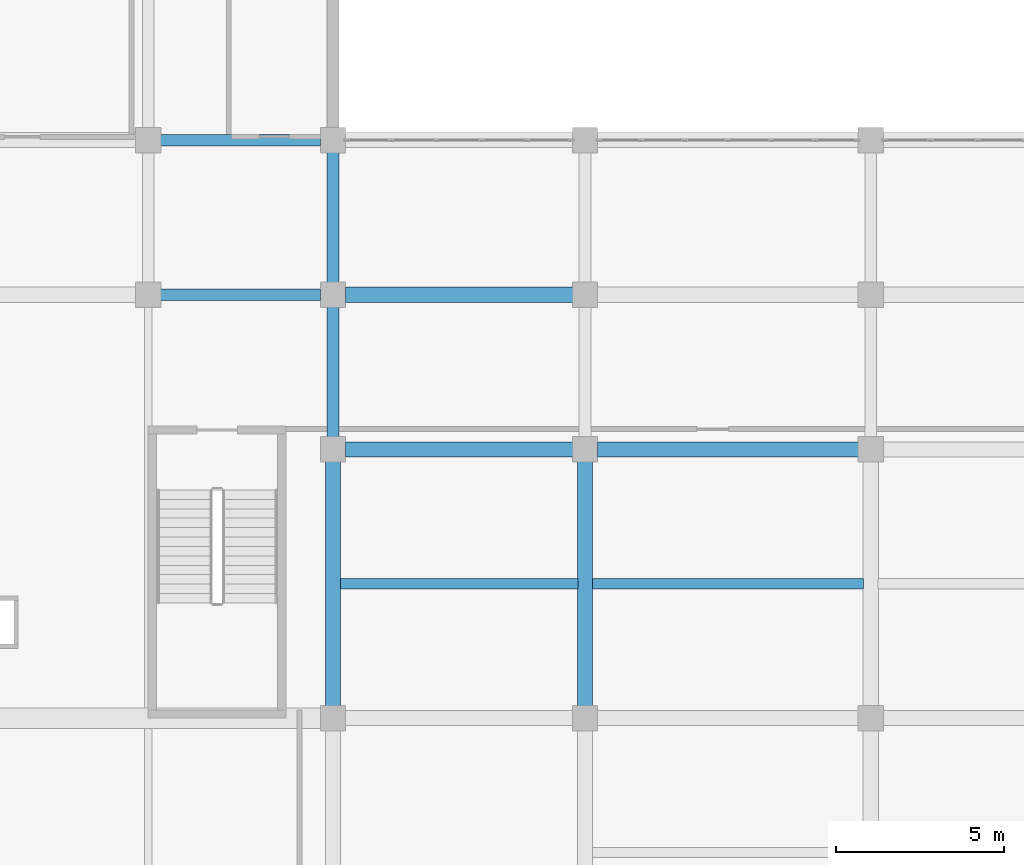
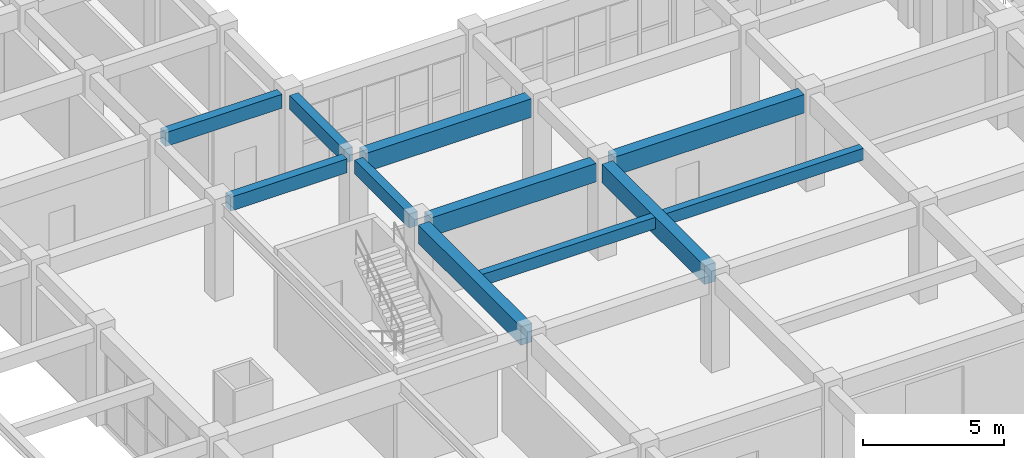
# One storey, part 9 of 116: 11 beams.
"""IFC4 building model written with IfcOpenShell, lengths in metres."""

import ifcopenshell
import ifcopenshell.guid

model = None  # the IFC model being written
_history = None  # IfcOwnerHistory: only IFC2X3 demands one
_inside = {}  # id of a spatial element -> (the spatial element, [elements in it])
_under = {}  # id of a project, library or spatial element -> (it, [spatial elements below it])
_declared = {}  # id of a project -> (the project, [libraries it declares])
_typed = {}  # id of a type object -> (the type object, [elements of that type])
_made_of = {}  # id of a material, layer set ... -> (it, [elements and type objects made of it])


def new_model(schema):
    """Start an empty IFC model of exactly this schema.

    Asked for "IFC4X3", IfcOpenShell would pick the latest addendum, in which some entities
    have other attributes; the version numbers below select the first issue.
    IFC2X3 requires an IfcOwnerHistory on every rooted entity: one is made here for all.
    """
    global model, _history
    if schema == "IFC4X3":
        model = ifcopenshell.file(schema_version=(4, 3, 0, 0))
    else:
        model = ifcopenshell.file(schema=schema)
    _inside.clear()
    _under.clear()
    _declared.clear()
    _typed.clear()
    _made_of.clear()
    _history = None
    if model.schema == "IFC2X3":
        org = make("IfcOrganization", Name="unknown")
        user = make(
            "IfcPersonAndOrganization",
            ThePerson=make("IfcPerson", FamilyName="unknown"),
            TheOrganization=org,
        )
        app = make(
            "IfcApplication",
            ApplicationDeveloper=org,
            Version="unknown",
            ApplicationFullName="unknown",
            ApplicationIdentifier="unknown",
        )
        _history = make(
            "IfcOwnerHistory",
            OwningUser=user,
            OwningApplication=app,
            ChangeAction="ADDED",
            CreationDate=0,
        )
    return model


def make(cls, **values):
    """One entity of the class cls with the attributes given. An attribute that is None is left unset."""
    return model.create_entity(
        cls, **{name: value for name, value in values.items() if value is not None}
    )


def rooted(cls, **values):
    """An entity with a GlobalId (a new one), such as an element, a storey or a relation."""
    return make(cls, GlobalId=ifcopenshell.guid.new(), OwnerHistory=_history, **values)


def si_unit(unit_type, name, prefix=None):
    """IfcSIUnit, for example si_unit("LENGTHUNIT", "METRE", prefix="MILLI")."""
    return make("IfcSIUnit", UnitType=unit_type, Prefix=prefix, Name=name)


def assignment(units):
    """IfcUnitAssignment: the units of a project."""
    return None if units is None else make("IfcUnitAssignment", Units=units)


def point(xyz):
    """IfcCartesianPoint."""
    return None if xyz is None else make("IfcCartesianPoint", Coordinates=xyz)


def direction(xyz):
    """IfcDirection."""
    return None if xyz is None else make("IfcDirection", DirectionRatios=xyz)


def frame(location, z_axis=None, x_axis=None):
    """IfcAxis2Placement3D, a coordinate frame: its origin and axes. An axis left out is left unset."""
    return make(
        "IfcAxis2Placement3D",
        Location=point(location),
        Axis=direction(z_axis),
        RefDirection=direction(x_axis),
    )


def frame_2d(location, x_axis=None):
    """IfcAxis2Placement2D, a coordinate frame in the plane: its origin and x axis."""
    return make(
        "IfcAxis2Placement2D", Location=point(location), RefDirection=direction(x_axis)
    )


def origin():
    """The frame at (0, 0, 0) with its axes left unset."""
    return frame((0.0, 0.0, 0.0))


def origin_2d():
    """The frame at (0, 0) in the plane with its x axis left unset."""
    return frame_2d((0.0, 0.0))


def place(relative_to, where):
    """IfcLocalPlacement: puts the frame where relative to a parent placement (None: the world)."""
    return make(
        "IfcLocalPlacement", PlacementRelTo=relative_to, RelativePlacement=where
    )


def context(
    kind, dimensions, precision=None, world=None, true_north=None, identifier=None
):
    """IfcGeometricRepresentationContext, for example the 3D "Model" context."""
    return make(
        "IfcGeometricRepresentationContext",
        ContextIdentifier=identifier,
        ContextType=kind,
        CoordinateSpaceDimension=dimensions,
        Precision=precision,
        WorldCoordinateSystem=world,
        TrueNorth=true_north,
    )


def subcontext(parent, identifier, kind, view, scale=None):
    """IfcGeometricRepresentationSubContext, for example "Body" below "Model"."""
    return make(
        "IfcGeometricRepresentationSubContext",
        ContextIdentifier=identifier,
        ContextType=kind,
        ParentContext=parent,
        TargetScale=scale,
        TargetView=view,
    )


def project(units=None, contexts=None):
    """IfcProject with its units and contexts."""
    return rooted(
        "IfcProject",
        Name="project",
        RepresentationContexts=contexts,
        UnitsInContext=assignment(units),
    )


def spatial(cls, under=None, at=None, **own):
    """A site, building, storey or space (cls), placed at a placement, below another one or the project."""
    s = rooted(cls, ObjectPlacement=at, **own)
    if under is not None:
        _under.setdefault(under.id(), (under, []))[1].append(s)
    return s


def profile(cls, at=None, kind="AREA", **sizes):
    """A parametric profile (cls). Its sizes go by their IFC names, for example OverallWidth=200.0."""
    return make(cls, ProfileType=kind, Position=at, **sizes)


def rectangle(**sizes):
    """IfcRectangleProfileDef."""
    return profile("IfcRectangleProfileDef", **sizes)


def extrude(swept, where, along, depth):
    """IfcExtrudedAreaSolid: the profile swept, set in the frame where, extruded along a direction by depth."""
    return make(
        "IfcExtrudedAreaSolid",
        SweptArea=swept,
        Position=where,
        ExtrudedDirection=direction(along),
        Depth=depth,
    )


def shape(context_of_items, identifier, shape_type, items):
    """IfcShapeRepresentation: the items that make up one representation, for example the "Body"."""
    return make(
        "IfcShapeRepresentation",
        ContextOfItems=context_of_items,
        RepresentationIdentifier=identifier,
        RepresentationType=shape_type,
        Items=items,
    )


def material(Name=None, Category=None):
    """IfcMaterial."""
    return make("IfcMaterial", Name=Name, Category=Category)


def material_profile(
    of_material, cross_section, Name=None, Category=None, Priority=None
):
    """IfcMaterialProfile: a cross section and its material."""
    return make(
        "IfcMaterialProfile",
        Name=Name,
        Material=of_material,
        Profile=cross_section,
        Priority=Priority,
        Category=Category,
    )


def profile_set(profiles, Name=None, composite=None):
    """IfcMaterialProfileSet."""
    return make(
        "IfcMaterialProfileSet",
        Name=Name,
        MaterialProfiles=profiles,
        CompositeProfile=composite,
    )


def made_of(thing, what):
    """Note that an element or type object is made of a material, layer set ...; save() writes the relation."""
    if what is not None:
        _made_of.setdefault(what.id(), (what, []))[1].append(thing)
    return thing


def type_object(cls, material=None, **own):
    """A type object (cls), such as IfcWallType, which elements share."""
    return made_of(rooted(cls, **own), material)


def element(
    cls,
    number,
    at=None,
    inside=None,
    cuts=None,
    type_object=None,
    material=None,
    context=None,
    identifier="Body",
    shape_type=None,
    held_by="IfcProductDefinitionShape",
    body=None,
    shapes=None,
    **own,
):
    """One element of the class cls, such as IfcWall. Its Tag is "e" and its number.

    at: its placement. inside: the storey or other place that contains it. cuts: it is an
    opening in that element (IfcRelVoidsElement). A single representation is given by context,
    identifier, shape_type and body (its items); several are given by shapes. held_by: the class
    of the entity that holds the representations. save() writes the other relations.
    """
    e = rooted(cls, Tag="e%d" % number, ObjectPlacement=at, **own)
    if body is not None:
        shapes = [shape(context, identifier, shape_type, body)]
    if shapes is not None:
        e.Representation = make(held_by, Representations=shapes)
    if inside is not None:
        _inside.setdefault(inside.id(), (inside, []))[1].append(e)
    if cuts is not None:
        rooted(
            "IfcRelVoidsElement", RelatingBuildingElement=cuts, RelatedOpeningElement=e
        )
    if type_object is not None:
        _typed.setdefault(type_object.id(), (type_object, []))[1].append(e)
    return made_of(e, material)


def aggregate(whole, parts):
    """IfcRelAggregates: a whole, such as a stair, and the parts it consists of."""
    return rooted("IfcRelAggregates", RelatingObject=whole, RelatedObjects=parts)


def save(model, path):
    """Write the relations noted so far, then the file.

    IfcRelAggregates (storeys below a building ...), IfcRelContainedInSpatialStructure (elements
    in a storey), IfcRelDefinesByType, IfcRelAssociatesMaterial and IfcRelDeclares: one each for
    every whole, place, type object, material and project.
    """
    for whole, parts in _under.values():
        aggregate(whole, parts)
    for where, things in _inside.values():
        rooted(
            "IfcRelContainedInSpatialStructure",
            RelatedElements=things,
            RelatingStructure=where,
        )
    for kind, things in _typed.values():
        rooted("IfcRelDefinesByType", RelatedObjects=things, RelatingType=kind)
    for what, things in _made_of.values():
        rooted("IfcRelAssociatesMaterial", RelatedObjects=things, RelatingMaterial=what)
    for by, libraries in _declared.values():
        rooted("IfcRelDeclares", RelatingContext=by, RelatedDefinitions=libraries)
    model.write(path)


model = new_model("IFC4")

# Units and contexts
model_context = context("Model", 3, precision=1e-05, world=origin(), true_north=direction((0.0, 1.0)))
body_context = subcontext(model_context, "Body", "Model", "MODEL_VIEW")
ifc_project = project(units=[si_unit("LENGTHUNIT", "METRE"), si_unit("AREAUNIT", "SQUARE_METRE"), si_unit("VOLUMEUNIT", "CUBIC_METRE"), si_unit("PLANEANGLEUNIT", "RADIAN"), si_unit("MASSUNIT", "GRAM", prefix="KILO")], contexts=[model_context])

# Site, building, storey
site_placement = place(None, origin())
site = spatial("IfcSite", under=ifc_project, at=site_placement, CompositionType="ELEMENT")
building_placement = place(site_placement, origin())
building = spatial("IfcBuilding", under=site, at=building_placement, Name="Muzn Square Opera House", CompositionType="ELEMENT")
storey_placement = place(building_placement, frame((0.0, 0.0, 5.39990234375)))
storey = spatial("IfcBuildingStorey", under=building, at=storey_placement, Name="L01", CompositionType="ELEMENT", Elevation=5.39990234375)

# Beams
ifc_material = material(Name="Concrete C40/50", Category="concrete")
ifc_material_profile_1 = material_profile(ifc_material, rectangle(XDim=0.300048828125, YDim=0.5, at=origin_2d()), Name="RCJ 300x500", Category="concrete")
ifc_profile_set_1 = profile_set([ifc_material_profile_1], Name="Concrete C40/50")
beam_type_1 = type_object("IfcBeamType", Name="Floor Joist 300x500", PredefinedType="JOIST", material=ifc_profile_set_1)
beam_1_placement = place(storey_placement, frame((19.217041015625, 18.0, 3.8701171875), z_axis=(1.0, 0.0, 0.0), x_axis=(0.0, 1.0, 0.0)))
element("IfcBeam", 1, at=beam_1_placement, inside=storey, type_object=beam_type_1, Name="Floor Joist BM-L01-BM-J500-192_180_263_180-1808", PredefinedType="JOIST", context=body_context, shape_type="SweptSolid", body=[
    extrude(rectangle(XDim=0.300048828125, YDim=0.5, at=origin_2d()), origin(), (0.0, 0.0, 1.0), 7.06591796875),
])
beam_2_placement = place(storey_placement, frame((26.717041015625, 18.0, 3.8701171875), z_axis=(1.0, 0.0, 0.0), x_axis=(0.0, 1.0, 0.0)))
element("IfcBeam", 2, at=beam_2_placement, inside=storey, type_object=beam_type_1, Name="Floor Joist BM-L01-BM-J500-267_180_348_180-1816", PredefinedType="JOIST", context=body_context, shape_type="SweptSolid", body=[
    extrude(rectangle(XDim=0.300048828125, YDim=0.5, at=origin_2d()), origin(), (0.0, 0.0, 1.0), 8.06591796875),
])
ifc_material_profile_2 = material_profile(ifc_material, rectangle(XDim=0.35009765625, YDim=0.60009765625, at=origin_2d()), Name="RCB 350x600", Category="concrete")
ifc_profile_set_2 = profile_set([ifc_material_profile_2], Name="Concrete C40/50")
beam_type_2 = type_object("IfcBeamType", Name="Primary Girder 350x600", PredefinedType="BEAM", material=ifc_profile_set_2)
for number, where, z_axis, x_axis, name in (
    (3, (13.866943359375, 26.60009765625, 3.820068359375), (1.0, 0.0, 0.0), (0.0, 1.0, 0.0), "Primary Girder BM-L01-BM-PG600-139_266_186_266-1297"),
    (4, (13.866943359375, 31.199951171875, 3.820068359375), (1.0, 0.0, 0.0), (0.0, 1.0, 0.0), "Primary Girder BM-L01-BM-PG600-139_312_186_312-1314"),
):
    element("IfcBeam", number, at=place(storey_placement, frame(where, z_axis=z_axis, x_axis=x_axis)), inside=storey, type_object=beam_type_2, Name=name, PredefinedType="BEAM", context=body_context, shape_type="SweptSolid", body=[
        extrude(rectangle(XDim=0.35009765625, YDim=0.60009765625, at=origin_2d()), origin(), (0.0, 0.0, 1.0), 4.76611328125),
    ])
for number, where, z_axis, x_axis, name in (
    (5, (19.0, 22.366943359375, 3.820068359375), (0.0, 1.0, 0.0), (-1.0, 0.0, 0.0), "Primary Girder BM-L01-BM-PG600-190_224_190_262-1556"),
    (6, (19.0, 26.967041015625, 3.820068359375), (0.0, 1.0, 0.0), (-1.0, 0.0, 0.0), "Primary Girder BM-L01-BM-PG600-190_270_190_308-1557"),
):
    element("IfcBeam", number, at=place(storey_placement, frame(where, z_axis=z_axis, x_axis=x_axis)), inside=storey, type_object=beam_type_2, Name=name, PredefinedType="BEAM", context=body_context, shape_type="SweptSolid", body=[
        extrude(rectangle(XDim=0.35009765625, YDim=0.60009765625, at=origin_2d()), origin(), (0.0, 0.0, 1.0), 3.865966796875),
    ])
ifc_material_profile_3 = material_profile(ifc_material, rectangle(XDim=0.449951171875, YDim=0.800048828125, at=origin_2d()), Name="RCB 450x800", Category="concrete")
ifc_profile_set_3 = profile_set([ifc_material_profile_3], Name="Concrete C40/50")
beam_type_3 = type_object("IfcBeamType", Name="Primary Girder 450x800", PredefinedType="BEAM", material=ifc_profile_set_3)
beam_3_placement = place(storey_placement, frame((19.366943359375, 22.0, 3.72021484375), z_axis=(1.0, 0.0, 0.0), x_axis=(0.0, 1.0, 0.0)))
element("IfcBeam", 7, at=beam_3_placement, inside=storey, type_object=beam_type_3, Name="Primary Girder BM-L01-BM-PG800-194_220_261_220-1276", PredefinedType="BEAM", context=body_context, shape_type="SweptSolid", body=[
    extrude(rectangle(XDim=0.449951171875, YDim=0.800048828125, at=origin_2d()), origin(), (0.0, 0.0, 1.0), 6.76611328125),
])
beam_4_placement = place(storey_placement, frame((26.866943359375, 22.0, 3.72021484375), z_axis=(1.0, 0.0, 0.0), x_axis=(0.0, 1.0, 0.0)))
element("IfcBeam", 8, at=beam_4_placement, inside=storey, type_object=beam_type_3, Name="Primary Girder BM-L01-BM-PG800-269_220_346_220-1277", PredefinedType="BEAM", context=body_context, shape_type="SweptSolid", body=[
    extrude(rectangle(XDim=0.449951171875, YDim=0.800048828125, at=origin_2d()), origin(), (0.0, 0.0, 1.0), 7.76611328125),
])
beam_5_placement = place(storey_placement, frame((19.366943359375, 26.60009765625, 3.72021484375), z_axis=(1.0, 0.0, 0.0), x_axis=(0.0, 1.0, 0.0)))
element("IfcBeam", 9, at=beam_5_placement, inside=storey, type_object=beam_type_3, Name="Primary Girder BM-L01-BM-PG800-194_266_261_266-1298", PredefinedType="BEAM", context=body_context, shape_type="SweptSolid", body=[
    extrude(rectangle(XDim=0.449951171875, YDim=0.800048828125, at=origin_2d()), origin(), (0.0, 0.0, 1.0), 6.76611328125),
])
for number, where, z_axis, x_axis, name in (
    (10, (19.0, 14.366943359375, 3.72021484375), (0.0, 1.0, 0.0), (-1.0, 0.0, 0.0), "Primary Girder BM-L01-BM-PG800-190_144_190_216-1555"),
    (11, (26.5, 14.366943359375, 3.72021484375), (0.0, 1.0, 0.0), (-1.0, 0.0, 0.0), "Primary Girder BM-L01-BM-PG800-265_144_265_216-1572"),
):
    element("IfcBeam", number, at=place(storey_placement, frame(where, z_axis=z_axis, x_axis=x_axis)), inside=storey, type_object=beam_type_3, Name=name, PredefinedType="BEAM", context=body_context, shape_type="SweptSolid", body=[
        extrude(rectangle(XDim=0.449951171875, YDim=0.800048828125, at=origin_2d()), origin(), (0.0, 0.0, 1.0), 7.26611328125),
    ])

save(model, "model.ifc")
